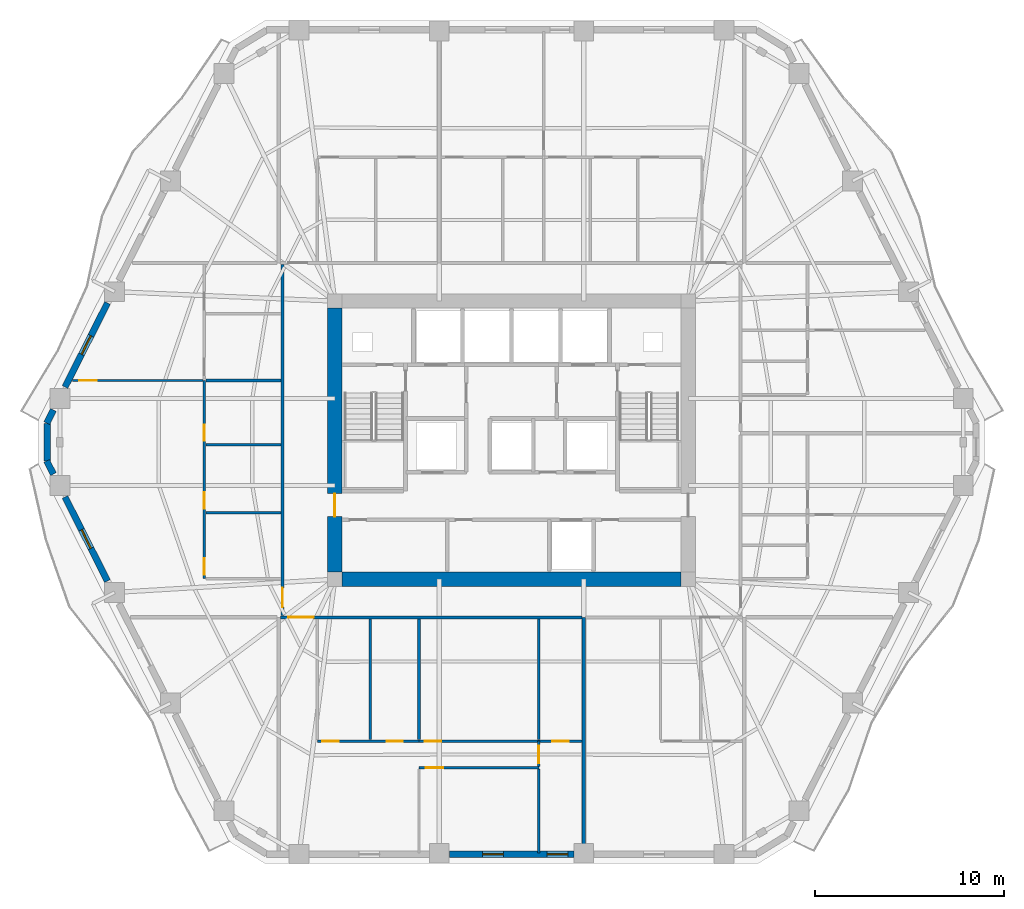
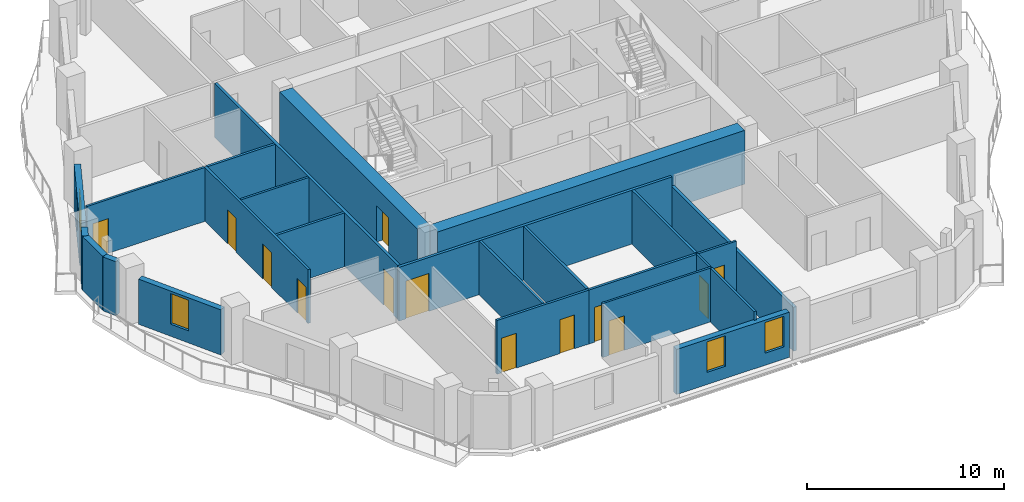
# One storey, part 4 of 11: 25 walls, 13 doors, 4 windows, 17 openings.
"""IFC4 building model written with IfcOpenShell, lengths in metres."""

from ifc_helpers import new_model, si_unit, direction, frame, frame_2d, origin, place, context, subcontext, project, spatial, rectangle, extrude, material, layer, layer_set, type_object, element, fill, save


model = new_model("IFC4")

# Units and contexts
model_context = context("Model", 3, precision=1e-05, world=origin(), true_north=direction((0.0, 1.0)))
body_context = subcontext(model_context, "Body", "Model", "MODEL_VIEW")
ifc_project = project(units=[si_unit("LENGTHUNIT", "METRE"), si_unit("AREAUNIT", "SQUARE_METRE"), si_unit("VOLUMEUNIT", "CUBIC_METRE"), si_unit("PLANEANGLEUNIT", "RADIAN"), si_unit("MASSUNIT", "GRAM", prefix="KILO")], contexts=[model_context])

# Site, building, storey
site_placement = place(None, origin())
site = spatial("IfcSite", under=ifc_project, at=site_placement, CompositionType="ELEMENT")
building_placement = place(site_placement, origin())
building = spatial("IfcBuilding", under=site, at=building_placement, Name="Cinnabar Lancet Tower", CompositionType="ELEMENT")
storey_placement = place(building_placement, frame((0.0, 0.0, 101.949951171875)))
storey = spatial("IfcBuildingStorey", under=building, at=storey_placement, Name="L26", CompositionType="ELEMENT", Elevation=101.949951171875)

# Wall, opening, door
ifc_material_1 = material(Name="Acoustic twin-stud gypsum partition", Category="gypsum")
ifc_layer_1 = layer(ifc_material_1, 0.159912109375)
ifc_layer_set_1 = layer_set([ifc_layer_1], Name="Acoustic twin-stud gypsum partition")
wall_type_1 = type_object("IfcWallType", Name="ARC-WL-CORR-160", PredefinedType="PARTITIONING", material=ifc_layer_set_1)
wall_1_placement = place(storey_placement, frame((20.14501953125, 16.5, 0.0), z_axis=(0.0, 0.0, 1.0), x_axis=(1.0, 0.0, 0.0)))
wall_1 = element("IfcWall", 1, at=wall_1_placement, inside=storey, type_object=wall_type_1, Name="L26 Unit S01 Corridor Wall", PredefinedType="PARTITIONING", context=body_context, shape_type="SweptSolid", body=[
    extrude(rectangle(XDim=15.991943359375, YDim=0.159912109375, at=frame_2d((7.99609375, 0.0))), origin(), (0.0, 0.0, 1.0), 3.340087890625),
])
opening_1_placement = place(wall_1_placement, frame((0.405029296875, 0.0, 0.0)))
opening_1 = element("IfcOpeningElement", 2, at=opening_1_placement, cuts=wall_1, Name="Opening UD-02", PredefinedType="OPENING", context=body_context, shape_type="SweptSolid", body=[
    extrude(rectangle(XDim=1.35009765625, YDim=2.35009765625, at=frame_2d((0.675048828125, 1.175048828125))), frame((0.0, 0.08984375, 0.0), z_axis=(0.0, -1.0, 0.0), x_axis=(1.0, 0.0, 0.0)), (0.0, 0.0, 1.0), 0.179931640625),
])
ifc_material_2 = material(Name="Double-leaf solid timber penthouse entrance door", Category="wood")
door_type_1 = type_object("IfcDoorType", Name="ARC-DR-UNIT-PH", OperationType="NOTDEFINED", PredefinedType="DOOR", material=ifc_material_2)
door_1_placement = place(opening_1_placement, origin())
door_1 = element("IfcDoor", 3, at=door_1_placement, inside=storey, type_object=door_type_1, Name="DR-L26-S01-ENT", OperationType="SINGLE_SWING_LEFT", OverallHeight=2.35009765625, OverallWidth=1.35009765625, PredefinedType="DOOR", context=body_context, shape_type="SweptSolid", body=[
    extrude(rectangle(XDim=1.35009765625, YDim=2.35009765625, at=frame_2d((0.675048828125, 1.175048828125))), frame((0.0, 0.02490234375, 0.0), z_axis=(0.0, -1.0, 0.0), x_axis=(1.0, 0.0, 0.0)), (0.0, 0.0, 1.0), 0.050048828125),
])
fill(opening_1, door_1)

wall_2_placement = place(storey_placement, frame((20.25, 16.594970703125, 0.0), z_axis=(0.0, 0.0, 1.0), x_axis=(0.0, 1.0, 0.0)))
wall_2 = element("IfcWall", 4, at=wall_2_placement, inside=storey, type_object=wall_type_1, Name="UW-L26-W01-COR", PredefinedType="PARTITIONING", context=body_context, shape_type="SweptSolid", body=[
    extrude(rectangle(XDim=18.610107421875, YDim=0.159912109375, at=frame_2d((9.30517578125, 0.0))), origin(), (0.0, 0.0, 1.0), 3.340087890625),
])
opening_2_placement = place(wall_2_placement, frame((0.449951171875, 0.0, 0.0)))
opening_2 = element("IfcOpeningElement", 5, at=opening_2_placement, cuts=wall_2, Name="Opening UD-01", PredefinedType="OPENING", context=body_context, shape_type="SweptSolid", body=[
    extrude(rectangle(XDim=1.02001953125, YDim=2.25, at=frame_2d((0.510009765625, 1.125))), frame((0.0, 0.08984375, 0.0), z_axis=(0.0, -1.0, 0.0), x_axis=(1.0, 0.0, 0.0)), (0.0, 0.0, 1.0), 0.179931640625),
])
ifc_material_3 = material(Name="Solid timber fire-rated apartment entrance door", Category="wood")
door_type_2 = type_object("IfcDoorType", Name="ARC-DR-UNIT", OperationType="NOTDEFINED", PredefinedType="DOOR", material=ifc_material_3)
door_2_placement = place(opening_2_placement, origin())
door_2 = element("IfcDoor", 6, at=door_2_placement, inside=storey, type_object=door_type_2, Name="DR-L26-W01-ENT", OperationType="SINGLE_SWING_LEFT", OverallHeight=2.25, OverallWidth=1.02001953125, PredefinedType="DOOR", context=body_context, shape_type="SweptSolid", body=[
    extrude(rectangle(XDim=1.02001953125, YDim=2.25, at=frame_2d((0.510009765625, 1.125))), frame((0.0, 0.02490234375, 0.0), z_axis=(0.0, -1.0, 0.0), x_axis=(1.0, 0.0, 0.0)), (0.0, 0.0, 1.0), 0.050048828125),
])
fill(opening_2, door_2)

# Wall
ifc_material_4 = material(Name="Fire-rated twin-frame acoustic drywall", Category="gypsum")
ifc_layer_2 = layer(ifc_material_4, 0.179931640625)
ifc_layer_set_2 = layer_set([ifc_layer_2], Name="Fire-rated twin-frame acoustic drywall")
wall_type_2 = type_object("IfcWallType", Name="ARC-WL-PARTY-180", PredefinedType="PARTITIONING", material=ifc_layer_set_2)
wall_3_placement = place(storey_placement, frame((36.23193359375, 4.10498046875, 0.0), z_axis=(0.0, 0.0, 1.0), x_axis=(0.0, 1.0, 0.0)))
element("IfcWall", 7, at=wall_3_placement, inside=storey, type_object=wall_type_2, Name="PW-L26-SPTY-362", PredefinedType="PARTITIONING", context=body_context, shape_type="SweptSolid", body=[
    extrude(rectangle(XDim=12.39501953125, YDim=0.179931640625, at=frame_2d((6.197509765625, 0.0))), origin(), (0.0, 0.0, 1.0), 2.72216796875),
])

# Wall, opening, door
ifc_material_5 = material(Name="Gypsum plasterboard stud partition", Category="gypsum")
ifc_layer_3 = layer(ifc_material_5, 0.125)
ifc_layer_set_3 = layer_set([ifc_layer_3], Name="Gypsum plasterboard stud partition")
wall_type_3 = type_object("IfcWallType", Name="ARC-WL-UNIT-125", PredefinedType="PARTITIONING", material=ifc_layer_set_3)
wall_4_placement = place(storey_placement, frame((33.85009765625, 9.930908203125, 0.0), z_axis=(0.0, 0.0, 1.0), x_axis=(1.0, 0.0, 0.0)))
wall_4 = element("IfcWall", 8, at=wall_4_placement, inside=storey, type_object=wall_type_3, Name="UW-L26-S01-SP2", PredefinedType="PARTITIONING", context=body_context, shape_type="SweptSolid", body=[
    extrude(rectangle(XDim=2.286865234375, YDim=0.125, at=frame_2d((1.1435546875, 0.0))), origin(), (0.0, 0.0, 1.0), 3.340087890625),
])
opening_3_placement = place(wall_4_placement, frame((0.718017578125, 0.0, 0.0)))
opening_3 = element("IfcOpeningElement", 9, at=opening_3_placement, cuts=wall_4, Name="Opening BD-01", PredefinedType="OPENING", context=body_context, shape_type="SweptSolid", body=[
    extrude(rectangle(XDim=0.860107421875, YDim=2.10009765625, at=frame_2d((0.43017578125, 1.050048828125))), frame((0.0, 0.072509765625, 0.0), z_axis=(0.0, -1.0, 0.0), x_axis=(1.0, 0.0, 0.0)), (0.0, 0.0, 1.0), 0.14501953125),
])
ifc_material_6 = material(Name="Moisture-resistant timber bathroom door", Category="wood")
door_type_3 = type_object("IfcDoorType", Name="ARC-DR-BATH", OperationType="NOTDEFINED", PredefinedType="DOOR", material=ifc_material_6)
door_3_placement = place(opening_3_placement, origin())
door_3 = element("IfcDoor", 10, at=door_3_placement, inside=storey, type_object=door_type_3, Name="DR-L26-S01-ENS", OperationType="SINGLE_SWING_LEFT", OverallHeight=2.10009765625, OverallWidth=0.860107421875, PredefinedType="DOOR", context=body_context, shape_type="SweptSolid", body=[
    extrude(rectangle(XDim=0.860107421875, YDim=2.10009765625, at=frame_2d((0.43017578125, 1.050048828125))), frame((0.0, 0.02490234375, 0.0), z_axis=(0.0, -1.0, 0.0), x_axis=(1.0, 0.0, 0.0)), (0.0, 0.0, 1.0), 0.050048828125),
])
fill(opening_3, door_3)

wall_5_placement = place(storey_placement, frame((27.493896484375, 8.531005859375, 0.0), z_axis=(0.0, 0.0, 1.0), x_axis=(1.0, 0.0, 0.0)))
wall_5 = element("IfcWall", 11, at=wall_5_placement, inside=storey, type_object=wall_type_3, Name="UW-L26-S01-HLN", PredefinedType="PARTITIONING", context=body_context, shape_type="SweptSolid", body=[
    extrude(rectangle(XDim=6.356201171875, YDim=0.125, at=frame_2d((3.17822265625, 0.0))), origin(), (0.0, 0.0, 1.0), 3.340087890625),
])
opening_4_placement = place(wall_5_placement, frame((0.35009765625, 0.0, 0.0)))
opening_4 = element("IfcOpeningElement", 12, at=opening_4_placement, cuts=wall_5, Name="Opening RD-01", PredefinedType="OPENING", context=body_context, shape_type="SweptSolid", body=[
    extrude(rectangle(XDim=0.919921875, YDim=2.14990234375, at=frame_2d((0.4599609375, 1.074951171875))), frame((0.0, 0.072509765625, 0.0), z_axis=(0.0, -1.0, 0.0), x_axis=(1.0, 0.0, 0.0)), (0.0, 0.0, 1.0), 0.14501953125),
])
ifc_material_7 = material(Name="Engineered timber bedroom door", Category="wood")
door_type_4 = type_object("IfcDoorType", Name="ARC-DR-ROOM", OperationType="NOTDEFINED", PredefinedType="DOOR", material=ifc_material_7)
door_4_placement = place(opening_4_placement, origin())
door_4 = element("IfcDoor", 13, at=door_4_placement, inside=storey, type_object=door_type_4, Name="DR-L26-S01-BD2", OperationType="SINGLE_SWING_RIGHT", OverallHeight=2.14990234375, OverallWidth=0.919921875, PredefinedType="DOOR", context=body_context, shape_type="SweptSolid", body=[
    extrude(rectangle(XDim=0.919921875, YDim=2.14990234375, at=frame_2d((0.4599609375, 1.074951171875))), frame((0.0, 0.02490234375, 0.0), z_axis=(0.0, -1.0, 0.0), x_axis=(1.0, 0.0, 0.0)), (0.0, 0.0, 1.0), 0.050048828125),
])
fill(opening_4, door_4)

wall_6_placement = place(storey_placement, frame((33.85009765625, 8.60107421875, 0.0), z_axis=(0.0, 0.0, 1.0), x_axis=(0.0, 1.0, 0.0)))
wall_6 = element("IfcWall", 14, at=wall_6_placement, inside=storey, type_object=wall_type_3, Name="UW-L26-S01-MBE", PredefinedType="PARTITIONING", context=body_context, shape_type="SweptSolid", body=[
    extrude(rectangle(XDim=1.329833984375, YDim=0.125, at=frame_2d((0.6650390625, 0.0))), origin(), (0.0, 0.0, 1.0), 3.340087890625),
])
opening_5_placement = place(wall_6_placement, frame((0.159912109375, 0.0, 0.0)))
opening_5 = element("IfcOpeningElement", 15, at=opening_5_placement, cuts=wall_6, Name="Opening RD-01", PredefinedType="OPENING", context=body_context, shape_type="SweptSolid", body=[
    extrude(rectangle(XDim=0.919921875, YDim=2.14990234375, at=frame_2d((0.4599609375, 1.074951171875))), frame((0.0, 0.072509765625, 0.0), z_axis=(0.0, -1.0, 0.0), x_axis=(1.0, 0.0, 0.0)), (0.0, 0.0, 1.0), 0.14501953125),
])
door_5_placement = place(opening_5_placement, origin())
door_5 = element("IfcDoor", 16, at=door_5_placement, inside=storey, type_object=door_type_4, Name="DR-L26-S01-MBD", OperationType="SINGLE_SWING_RIGHT", OverallHeight=2.14990234375, OverallWidth=0.919921875, PredefinedType="DOOR", context=body_context, shape_type="SweptSolid", body=[
    extrude(rectangle(XDim=0.919921875, YDim=2.14990234375, at=frame_2d((0.4599609375, 1.074951171875))), frame((0.0, 0.02490234375, 0.0), z_axis=(0.0, -1.0, 0.0), x_axis=(1.0, 0.0, 0.0)), (0.0, 0.0, 1.0), 0.050048828125),
])
fill(opening_5, door_5)

# Wall
wall_7_placement = place(storey_placement, frame((33.85009765625, 4.014892578125, 0.0), z_axis=(0.0, 0.0, 1.0), x_axis=(0.0, 1.0, 0.0)))
element("IfcWall", 17, at=wall_7_placement, inside=storey, type_object=wall_type_3, Name="UW-L26-S01-MB2W", PredefinedType="PARTITIONING", context=body_context, shape_type="SweptSolid", body=[
    extrude(rectangle(XDim=4.451171875, YDim=0.125, at=frame_2d((2.2255859375, 0.0))), origin(), (0.0, 0.0, 1.0), 3.340087890625),
])

# Wall, opening, door
wall_8_placement = place(storey_placement, frame((9.115966796875, 29.06396484375, 0.0), z_axis=(0.0, 0.0, 1.0), x_axis=(1.0, 0.0, 0.0)))
wall_8 = element("IfcWall", 18, at=wall_8_placement, inside=storey, type_object=wall_type_3, Name="UW-L26-W01-MBN", PredefinedType="PARTITIONING", context=body_context, shape_type="SweptSolid", body=[
    extrude(rectangle(XDim=6.908935546875, YDim=0.125, at=frame_2d((3.45458984375, 0.0))), origin(), (0.0, 0.0, 1.0), 3.340087890625),
])
opening_6_placement = place(wall_8_placement, frame((0.35009765625, 0.0, 0.0)))
opening_6 = element("IfcOpeningElement", 19, at=opening_6_placement, cuts=wall_8, Name="Opening RD-01", PredefinedType="OPENING", context=body_context, shape_type="SweptSolid", body=[
    extrude(rectangle(XDim=0.919921875, YDim=2.14990234375, at=frame_2d((0.4599609375, 1.074951171875))), frame((0.0, 0.072509765625, 0.0), z_axis=(0.0, -1.0, 0.0), x_axis=(1.0, 0.0, 0.0)), (0.0, 0.0, 1.0), 0.14501953125),
])
door_6_placement = place(opening_6_placement, origin())
door_6 = element("IfcDoor", 20, at=door_6_placement, inside=storey, type_object=door_type_4, Name="DR-L26-W01-MBD", OperationType="SINGLE_SWING_LEFT", OverallHeight=2.14990234375, OverallWidth=0.919921875, PredefinedType="DOOR", context=body_context, shape_type="SweptSolid", body=[
    extrude(rectangle(XDim=0.919921875, YDim=2.14990234375, at=frame_2d((0.4599609375, 1.074951171875))), frame((0.0, 0.02490234375, 0.0), z_axis=(0.0, -1.0, 0.0), x_axis=(1.0, 0.0, 0.0)), (0.0, 0.0, 1.0), 0.050048828125),
])
fill(opening_6, door_6)

# Wall
wall_9_placement = place(storey_placement, frame((16.18505859375, 25.6640625, 0.0), z_axis=(0.0, 0.0, 1.0), x_axis=(1.0, 0.0, 0.0)))
element("IfcWall", 21, at=wall_9_placement, inside=storey, type_object=wall_type_3, Name="UW-L26-W01-UDV", PredefinedType="PARTITIONING", context=body_context, shape_type="SweptSolid", body=[
    extrude(rectangle(XDim=3.97998046875, YDim=0.125, at=frame_2d((1.989990234375, 0.0))), origin(), (0.0, 0.0, 1.0), 3.340087890625),
])

# Wall, openings, doors
ifc_material_8 = material(Name="Moisture-resistant cement-board plumbing wall", Category="masonry")
ifc_layer_4 = layer(ifc_material_8, 0.139892578125)
ifc_layer_set_4 = layer_set([ifc_layer_4], Name="Moisture-resistant cement-board plumbing wall")
wall_type_4 = type_object("IfcWallType", Name="ARC-WL-WET-140", PredefinedType="PLUMBINGWALL", material=ifc_layer_set_4)
wall_10_placement = place(storey_placement, frame((22.10009765625, 9.930908203125, 0.0), z_axis=(0.0, 0.0, 1.0), x_axis=(1.0, 0.0, 0.0)))
wall_10 = element("IfcWall", 22, at=wall_10_placement, inside=storey, type_object=wall_type_4, Name="UW-L26-S01-SPL", PredefinedType="PLUMBINGWALL", context=body_context, shape_type="SweptSolid", body=[
    extrude(rectangle(XDim=5.393798828125, YDim=0.139892578125, at=frame_2d((2.69677734375, 0.0))), origin(), (0.0, 0.0, 1.0), 3.340087890625),
])
opening_7_placement = place(wall_10_placement, frame((3.674072265625, 0.0, 0.0)))
opening_7 = element("IfcOpeningElement", 23, at=opening_7_placement, cuts=wall_10, Name="Opening BD-01", PredefinedType="OPENING", context=body_context, shape_type="SweptSolid", body=[
    extrude(rectangle(XDim=0.860107421875, YDim=2.10009765625, at=frame_2d((0.43017578125, 1.050048828125))), frame((0.0, 0.079833984375, 0.0), z_axis=(0.0, -1.0, 0.0), x_axis=(1.0, 0.0, 0.0)), (0.0, 0.0, 1.0), 0.159912109375),
])
opening_8_placement = place(wall_10_placement, frame((0.260009765625, 0.0, 0.0)))
opening_8 = element("IfcOpeningElement", 24, at=opening_8_placement, cuts=wall_10, Name="Opening RD-02", PredefinedType="OPENING", context=body_context, shape_type="SweptSolid", body=[
    extrude(rectangle(XDim=0.8798828125, YDim=2.14990234375, at=frame_2d((0.43994140625, 1.074951171875))), frame((0.0, 0.079833984375, 0.0), z_axis=(0.0, -1.0, 0.0), x_axis=(1.0, 0.0, 0.0)), (0.0, 0.0, 1.0), 0.159912109375),
])
door_7_placement = place(opening_7_placement, origin())
door_7 = element("IfcDoor", 25, at=door_7_placement, inside=storey, type_object=door_type_3, Name="DR-L26-S01-BTH", OperationType="SINGLE_SWING_LEFT", OverallHeight=2.10009765625, OverallWidth=0.860107421875, PredefinedType="DOOR", context=body_context, shape_type="SweptSolid", body=[
    extrude(rectangle(XDim=0.860107421875, YDim=2.10009765625, at=frame_2d((0.43017578125, 1.050048828125))), frame((0.0, 0.02490234375, 0.0), z_axis=(0.0, -1.0, 0.0), x_axis=(1.0, 0.0, 0.0)), (0.0, 0.0, 1.0), 0.050048828125),
])
fill(opening_7, door_7)
ifc_material_9 = material(Name="Engineered timber study door", Category="wood")
door_type_5 = type_object("IfcDoorType", Name="ARC-DR-STUDY", OperationType="NOTDEFINED", PredefinedType="DOOR", material=ifc_material_9)
door_8_placement = place(opening_8_placement, origin())
door_8 = element("IfcDoor", 26, at=door_8_placement, inside=storey, type_object=door_type_5, Name="DR-L26-S01-KIT", OperationType="SINGLE_SWING_RIGHT", OverallHeight=2.14990234375, OverallWidth=0.8798828125, PredefinedType="DOOR", context=body_context, shape_type="SweptSolid", body=[
    extrude(rectangle(XDim=0.8798828125, YDim=2.14990234375, at=frame_2d((0.43994140625, 1.074951171875))), frame((0.0, 0.02490234375, 0.0), z_axis=(0.0, -1.0, 0.0), x_axis=(1.0, 0.0, 0.0)), (0.0, 0.0, 1.0), 0.050048828125),
])
fill(opening_8, door_8)

# Wall, opening, door
wall_11_placement = place(storey_placement, frame((27.493896484375, 9.930908203125, 0.0), z_axis=(0.0, 0.0, 1.0), x_axis=(1.0, 0.0, 0.0)))
wall_11 = element("IfcWall", 27, at=wall_11_placement, inside=storey, type_object=wall_type_4, Name="UW-L26-S01-SPM", PredefinedType="PLUMBINGWALL", context=body_context, shape_type="SweptSolid", body=[
    extrude(rectangle(XDim=6.356201171875, YDim=0.139892578125, at=frame_2d((3.17822265625, 0.0))), origin(), (0.0, 0.0, 1.0), 3.340087890625),
])
opening_9_placement = place(wall_11_placement, frame((0.300048828125, 0.0, 0.0)))
opening_9 = element("IfcOpeningElement", 28, at=opening_9_placement, cuts=wall_11, Name="Opening RD-02", PredefinedType="OPENING", context=body_context, shape_type="SweptSolid", body=[
    extrude(rectangle(XDim=0.8798828125, YDim=2.14990234375, at=frame_2d((0.43994140625, 1.074951171875))), frame((0.0, 0.079833984375, 0.0), z_axis=(0.0, -1.0, 0.0), x_axis=(1.0, 0.0, 0.0)), (0.0, 0.0, 1.0), 0.159912109375),
])
door_9_placement = place(opening_9_placement, origin())
door_9 = element("IfcDoor", 29, at=door_9_placement, inside=storey, type_object=door_type_5, Name="DR-L26-S01-UTL", OperationType="SINGLE_SWING_LEFT", OverallHeight=2.14990234375, OverallWidth=0.8798828125, PredefinedType="DOOR", context=body_context, shape_type="SweptSolid", body=[
    extrude(rectangle(XDim=0.8798828125, YDim=2.14990234375, at=frame_2d((0.43994140625, 1.074951171875))), frame((0.0, 0.02490234375, 0.0), z_axis=(0.0, -1.0, 0.0), x_axis=(1.0, 0.0, 0.0)), (0.0, 0.0, 1.0), 0.050048828125),
])
fill(opening_9, door_9)

# Walls
for number, where, z_axis, x_axis, name in (
    (30, (24.905029296875, 10.035888671875, 0.0), (0.0, 0.0, 1.0), (0.0, 1.0, 0.0), "UW-L26-S01-KDV"),
    (31, (27.493896484375, 10.035888671875, 0.0), (0.0, 0.0, 1.0), (0.0, 1.0, 0.0), "UW-L26-S01-ENSW"),
    (32, (33.85009765625, 10.035888671875, 0.0), (0.0, 0.0, 1.0), (0.0, 1.0, 0.0), "UW-L26-S01-ENSE"),
):
    element("IfcWall", number, at=place(storey_placement, frame(where, z_axis=z_axis, x_axis=x_axis)), inside=storey, type_object=wall_type_4, Name=name, PredefinedType="PLUMBINGWALL", context=body_context, shape_type="SweptSolid", body=[
        extrude(rectangle(XDim=6.379150390625, YDim=0.139892578125, at=frame_2d((3.189453125, 0.0))), origin(), (0.0, 0.0, 1.0), 3.340087890625),
    ])

# Wall, openings, doors
wall_12_placement = place(storey_placement, frame((16.10009765625, 18.550048828125, 0.0), z_axis=(0.0, 0.0, 1.0), x_axis=(0.0, 1.0, 0.0)))
wall_12 = element("IfcWall", 33, at=wall_12_placement, inside=storey, type_object=wall_type_4, Name="UW-L26-W01-SPL", PredefinedType="PLUMBINGWALL", context=body_context, shape_type="SweptSolid", body=[
    extrude(rectangle(XDim=10.513916015625, YDim=0.139892578125, at=frame_2d((5.2568359375, 0.0))), origin(), (0.0, 0.0, 1.0), 3.340087890625),
])
opening_10_placement = place(wall_12_placement, frame((0.199951171875, 0.0, 0.0)))
opening_10 = element("IfcOpeningElement", 34, at=opening_10_placement, cuts=wall_12, Name="Opening RD-02", PredefinedType="OPENING", context=body_context, shape_type="SweptSolid", body=[
    extrude(rectangle(XDim=0.8798828125, YDim=2.14990234375, at=frame_2d((0.43994140625, 1.074951171875))), frame((0.0, 0.079833984375, 0.0), z_axis=(0.0, -1.0, 0.0), x_axis=(1.0, 0.0, 0.0)), (0.0, 0.0, 1.0), 0.159912109375),
])
opening_11_placement = place(wall_12_placement, frame((3.699951171875, 0.0, 0.0)))
opening_11 = element("IfcOpeningElement", 35, at=opening_11_placement, cuts=wall_12, Name="Opening RD-02", PredefinedType="OPENING", context=body_context, shape_type="SweptSolid", body=[
    extrude(rectangle(XDim=0.8798828125, YDim=2.14990234375, at=frame_2d((0.43994140625, 1.074951171875))), frame((0.0, 0.079833984375, 0.0), z_axis=(0.0, -1.0, 0.0), x_axis=(1.0, 0.0, 0.0)), (0.0, 0.0, 1.0), 0.159912109375),
])
opening_12_placement = place(wall_12_placement, frame((7.31396484375, 0.0, 0.0)))
opening_12 = element("IfcOpeningElement", 36, at=opening_12_placement, cuts=wall_12, Name="Opening BD-01", PredefinedType="OPENING", context=body_context, shape_type="SweptSolid", body=[
    extrude(rectangle(XDim=0.860107421875, YDim=2.10009765625, at=frame_2d((0.43017578125, 1.050048828125))), frame((0.0, 0.079833984375, 0.0), z_axis=(0.0, -1.0, 0.0), x_axis=(1.0, 0.0, 0.0)), (0.0, 0.0, 1.0), 0.159912109375),
])
door_10_placement = place(opening_12_placement, origin())
door_10 = element("IfcDoor", 37, at=door_10_placement, inside=storey, type_object=door_type_3, Name="DR-L26-W01-BTH", OperationType="SINGLE_SWING_RIGHT", OverallHeight=2.10009765625, OverallWidth=0.860107421875, PredefinedType="DOOR", context=body_context, shape_type="SweptSolid", body=[
    extrude(rectangle(XDim=0.860107421875, YDim=2.10009765625, at=frame_2d((0.43017578125, 1.050048828125))), frame((0.0, 0.02490234375, 0.0), z_axis=(0.0, -1.0, 0.0), x_axis=(1.0, 0.0, 0.0)), (0.0, 0.0, 1.0), 0.050048828125),
])
fill(opening_12, door_10)
door_11_placement = place(opening_10_placement, origin())
door_11 = element("IfcDoor", 38, at=door_11_placement, inside=storey, type_object=door_type_5, Name="DR-L26-W01-KIT", OperationType="SINGLE_SWING_RIGHT", OverallHeight=2.14990234375, OverallWidth=0.8798828125, PredefinedType="DOOR", context=body_context, shape_type="SweptSolid", body=[
    extrude(rectangle(XDim=0.8798828125, YDim=2.14990234375, at=frame_2d((0.43994140625, 1.074951171875))), frame((0.0, 0.02490234375, 0.0), z_axis=(0.0, -1.0, 0.0), x_axis=(1.0, 0.0, 0.0)), (0.0, 0.0, 1.0), 0.050048828125),
])
fill(opening_10, door_11)
door_12_placement = place(opening_11_placement, origin())
door_12 = element("IfcDoor", 39, at=door_12_placement, inside=storey, type_object=door_type_5, Name="DR-L26-W01-UTL", OperationType="SINGLE_SWING_LEFT", OverallHeight=2.14990234375, OverallWidth=0.8798828125, PredefinedType="DOOR", context=body_context, shape_type="SweptSolid", body=[
    extrude(rectangle(XDim=0.8798828125, YDim=2.14990234375, at=frame_2d((0.43994140625, 1.074951171875))), frame((0.0, 0.02490234375, 0.0), z_axis=(0.0, -1.0, 0.0), x_axis=(1.0, 0.0, 0.0)), (0.0, 0.0, 1.0), 0.050048828125),
])
fill(opening_11, door_12)

# Walls
for number, where, z_axis, x_axis, name in (
    (40, (16.18505859375, 29.06396484375, 0.0), (0.0, 0.0, 1.0), (1.0, 0.0, 0.0), "UW-L26-W01-ENSN"),
    (41, (16.18505859375, 22.050048828125, 0.0), (0.0, 0.0, 1.0), (1.0, 0.0, 0.0), "UW-L26-W01-KDV"),
):
    element("IfcWall", number, at=place(storey_placement, frame(where, z_axis=z_axis, x_axis=x_axis)), inside=storey, type_object=wall_type_4, Name=name, PredefinedType="PLUMBINGWALL", context=body_context, shape_type="SweptSolid", body=[
        extrude(rectangle(XDim=3.97998046875, YDim=0.139892578125, at=frame_2d((1.989990234375, 0.0))), origin(), (0.0, 0.0, 1.0), 3.340087890625),
    ])
ifc_material_10 = material(Name="Cinnabar red clay brick", Category="masonry")
ifc_layer_5 = layer(ifc_material_10, 0.340087890625)
ifc_layer_set_5 = layer_set([ifc_layer_5], Name="Cinnabar red clay brick")
wall_type_5 = type_object("IfcWallType", Name="ENV-WL-BRK-RED-340", PredefinedType="STANDARD", material=ifc_layer_set_5)
wall_13_placement = place(storey_placement, frame((7.76708984375, 26.797119140625, 0.0), z_axis=(0.0, 0.0, 1.0), x_axis=(0.0, -1.0, 0.0)))
element("IfcWall", 42, at=wall_13_placement, inside=storey, type_object=wall_type_5, Name="L26 Chamfered Corner Brick Pier 6.1", PredefinedType="STANDARD", context=body_context, shape_type="SweptSolid", body=[
    extrude(rectangle(XDim=1.994140625, YDim=0.340087890625, at=frame_2d((0.9970703125, 0.0))), origin(), (0.0, 0.0, 1.0), 3.340087890625),
])

# Wall, openings, windows
wall_14_placement = place(storey_placement, frame((29.096923828125, 3.929931640625, 0.0), z_axis=(0.0, 0.0, 1.0), x_axis=(1.0, 0.0, 0.0)))
wall_14 = element("IfcWall", 43, at=wall_14_placement, inside=storey, type_object=wall_type_5, Name="L26 Face 1 Masonry Bay Wall 3", PredefinedType="STANDARD", context=body_context, shape_type="SweptSolid", body=[
    extrude(rectangle(XDim=6.60595703125, YDim=0.340087890625, at=frame_2d((3.302978515625, 0.0))), origin(), (0.0, 0.0, 1.0), 2.797119140625),
])
opening_13_placement = place(wall_14_placement, frame((1.77001953125, 0.0, 0.75)))
opening_13 = element("IfcOpeningElement", 44, at=opening_13_placement, cuts=wall_14, Name="Opening WN-04", PredefinedType="OPENING", context=body_context, shape_type="SweptSolid", body=[
    extrude(rectangle(XDim=1.10009765625, YDim=1.89697265625, at=frame_2d((0.550048828125, 0.948486328125))), frame((0.0, 0.179931640625, 0.0), z_axis=(0.0, -1.0, 0.0), x_axis=(1.0, 0.0, 0.0)), (0.0, 0.0, 1.0), 0.360107421875),
])
opening_14_placement = place(wall_14_placement, frame((5.18603515625, 0.0, 0.75)))
opening_14 = element("IfcOpeningElement", 45, at=opening_14_placement, cuts=wall_14, Name="Opening WN-04", PredefinedType="OPENING", context=body_context, shape_type="SweptSolid", body=[
    extrude(rectangle(XDim=1.10009765625, YDim=1.89697265625, at=frame_2d((0.550048828125, 0.948486328125))), frame((0.0, 0.179931640625, 0.0), z_axis=(0.0, -1.0, 0.0), x_axis=(1.0, 0.0, 0.0)), (0.0, 0.0, 1.0), 0.360107421875),
])
ifc_material_11 = material(Name="Thermally broken bronze-anodized aluminium tall lancet window", Category="aluminium")
window_type = type_object("IfcWindowType", Name="ENV-WN-LANCET-1100", PartitioningType="SINGLE_PANEL", PredefinedType="WINDOW", material=ifc_material_11)
window_1_placement = place(opening_13_placement, origin())
window_1 = element("IfcWindow", 46, at=window_1_placement, inside=storey, type_object=window_type, Name="L26 Face 1 Gothic Lancet Window 3", OverallHeight=1.89697265625, OverallWidth=1.10009765625, PartitioningType="SINGLE_PANEL", PredefinedType="WINDOW", context=body_context, shape_type="SweptSolid", body=[
    extrude(rectangle(XDim=1.10009765625, YDim=1.89697265625, at=frame_2d((0.550048828125, 0.948486328125))), frame((0.0, 0.030029296875, 0.0), z_axis=(0.0, -1.0, 0.0), x_axis=(1.0, 0.0, 0.0)), (0.0, 0.0, 1.0), 0.06005859375),
])
fill(opening_13, window_1)
window_2_placement = place(opening_14_placement, origin())
window_2 = element("IfcWindow", 47, at=window_2_placement, inside=storey, type_object=window_type, Name="L26 Split-Bay Gothic Lancet Window 85", OverallHeight=1.89697265625, OverallWidth=1.10009765625, PartitioningType="SINGLE_PANEL", PredefinedType="WINDOW", context=body_context, shape_type="SweptSolid", body=[
    extrude(rectangle(XDim=1.10009765625, YDim=1.89697265625, at=frame_2d((0.550048828125, 0.948486328125))), frame((0.0, 0.030029296875, 0.0), z_axis=(0.0, -1.0, 0.0), x_axis=(1.0, 0.0, 0.0)), (0.0, 0.0, 1.0), 0.06005859375),
])
fill(opening_14, window_2)

# Wall, opening, window
wall_15_placement = place(storey_placement, frame((10.968017578125, 33.172119140625, 0.0), z_axis=(0.0, 0.0, 1.0), x_axis=(-0.451470533039, -0.892286029139, 0.0)))
wall_15 = element("IfcWall", 48, at=wall_15_placement, inside=storey, type_object=wall_type_5, Name="L26 Face 5 Masonry Bay Wall 4", PredefinedType="STANDARD", context=body_context, shape_type="SweptSolid", body=[
    extrude(rectangle(XDim=4.9951171875, YDim=0.340087890625, at=frame_2d((2.49755859375, 0.0))), origin(), (0.0, 0.0, 1.0), 2.797119140625),
])
opening_15_placement = place(wall_15_placement, frame((1.947021484375, 0.0, 0.75)))
opening_15 = element("IfcOpeningElement", 49, at=opening_15_placement, cuts=wall_15, Name="Opening WN-04", PredefinedType="OPENING", context=body_context, shape_type="SweptSolid", body=[
    extrude(rectangle(XDim=1.10009765625, YDim=1.89697265625, at=frame_2d((0.550048828125, 0.948486328125))), frame((0.0, 0.179931640625, 0.0), z_axis=(0.0, -1.0, 0.0), x_axis=(1.0, 0.0, 0.0)), (0.0, 0.0, 1.0), 0.360107421875),
])
window_3_placement = place(opening_15_placement, origin())
window_3 = element("IfcWindow", 50, at=window_3_placement, inside=storey, type_object=window_type, Name="L26 Face 5 Gothic Lancet Window 4", OverallHeight=1.89697265625, OverallWidth=1.10009765625, PartitioningType="SINGLE_PANEL", PredefinedType="WINDOW", context=body_context, shape_type="SweptSolid", body=[
    extrude(rectangle(XDim=1.10009765625, YDim=1.89697265625, at=frame_2d((0.550048828125, 0.948486328125))), frame((0.0, 0.030029296875, 0.0), z_axis=(0.0, -1.0, 0.0), x_axis=(1.0, 0.0, 0.0)), (0.0, 0.0, 1.0), 0.06005859375),
])
fill(opening_15, window_3)

# Walls
for number, where, z_axis, x_axis, name in (
    (51, (8.10009765625, 27.5029296875, 0.0), (0.0, 0.0, 1.0), (-0.451819324107, -0.89210946546, 0.0), "L26 Face 5 Masonry Bay Wall 5"),
    (52, (7.74609375, 24.7958984375, 0.0), (0.0, 0.0, 1.0), (0.451819324107, -0.89210946546, 0.0), "L26 Face 6 Masonry Bay Wall 1"),
):
    element("IfcWall", number, at=place(storey_placement, frame(where, z_axis=z_axis, x_axis=x_axis)), inside=storey, type_object=wall_type_5, Name=name, PredefinedType="STANDARD", context=body_context, shape_type="SweptSolid", body=[
        extrude(rectangle(XDim=0.783447265625, YDim=0.340087890625, at=frame_2d((0.3916015625, 0.0))), origin(), (0.0, 0.0, 1.0), 3.340087890625),
    ])

# Wall, opening, window
wall_16_placement = place(storey_placement, frame((8.712890625, 22.885009765625, 0.0), z_axis=(0.0, 0.0, 1.0), x_axis=(0.451470533039, -0.892286029139, 0.0)))
wall_16 = element("IfcWall", 53, at=wall_16_placement, inside=storey, type_object=wall_type_5, Name="L26 Face 6 Masonry Bay Wall 2", PredefinedType="STANDARD", context=body_context, shape_type="SweptSolid", body=[
    extrude(rectangle(XDim=4.9951171875, YDim=0.340087890625, at=frame_2d((2.49755859375, 0.0))), origin(), (0.0, 0.0, 1.0), 2.797119140625),
])
opening_16_placement = place(wall_16_placement, frame((1.947021484375, 0.0, 0.75)))
opening_16 = element("IfcOpeningElement", 54, at=opening_16_placement, cuts=wall_16, Name="Opening WN-04", PredefinedType="OPENING", context=body_context, shape_type="SweptSolid", body=[
    extrude(rectangle(XDim=1.10009765625, YDim=1.89697265625, at=frame_2d((0.550048828125, 0.948486328125))), frame((0.0, 0.179931640625, 0.0), z_axis=(0.0, -1.0, 0.0), x_axis=(1.0, 0.0, 0.0)), (0.0, 0.0, 1.0), 0.360107421875),
])
window_4_placement = place(opening_16_placement, origin())
window_4 = element("IfcWindow", 55, at=window_4_placement, inside=storey, type_object=window_type, Name="L26 Face 6 Gothic Lancet Window 2", OverallHeight=1.89697265625, OverallWidth=1.10009765625, PartitioningType="SINGLE_PANEL", PredefinedType="WINDOW", context=body_context, shape_type="SweptSolid", body=[
    extrude(rectangle(XDim=1.10009765625, YDim=1.89697265625, at=frame_2d((0.550048828125, 0.948486328125))), frame((0.0, 0.030029296875, 0.0), z_axis=(0.0, -1.0, 0.0), x_axis=(1.0, 0.0, 0.0)), (0.0, 0.0, 1.0), 0.06005859375),
])
fill(opening_16, window_4)

# Wall
ifc_material_12 = material(Name="Concrete C70/85", Category="concrete")
ifc_layer_6 = layer(ifc_material_12, 0.75)
ifc_layer_set_6 = layer_set([ifc_layer_6], Name="Concrete C70/85")
wall_type_6 = type_object("IfcWallType", Name="STR-WL-CORE-750", PredefinedType="SHEAR", material=ifc_layer_set_6)
wall_17_placement = place(storey_placement, frame((23.39990234375, 18.52490234375, 0.0), z_axis=(0.0, 0.0, 1.0), x_axis=(1.0, 0.0, 0.0)))
element("IfcWall", 56, at=wall_17_placement, inside=storey, type_object=wall_type_6, Name="L26 Core Shear Wall S", PredefinedType="SHEAR", context=body_context, shape_type="SweptSolid", body=[
    extrude(rectangle(XDim=18.0, YDim=0.75, at=frame_2d((9.0, 0.0))), origin(), (0.0, 0.0, 1.0), 3.340087890625),
])

# Wall, opening, door
wall_18_placement = place(storey_placement, frame((23.02490234375, 18.89990234375, 0.0), z_axis=(0.0, 0.0, 1.0), x_axis=(0.0, 1.0, 0.0)))
wall_18 = element("IfcWall", 57, at=wall_18_placement, inside=storey, type_object=wall_type_6, Name="L26 Core Shear Wall W", PredefinedType="SHEAR", context=body_context, shape_type="SweptSolid", body=[
    extrude(rectangle(XDim=14.0, YDim=0.75, at=frame_2d((7.0, 0.0))), origin(), (0.0, 0.0, 1.0), 3.340087890625),
])
opening_17_placement = place(wall_18_placement, frame((2.93994140625, 0.0, 0.0)))
opening_17 = element("IfcOpeningElement", 58, at=opening_17_placement, cuts=wall_18, Name="Opening FD-02", PredefinedType="OPENING", context=body_context, shape_type="SweptSolid", body=[
    extrude(rectangle(XDim=1.219970703125, YDim=2.25, at=frame_2d((0.60986328125, 1.125))), frame((0.0, 0.385009765625, 0.0), z_axis=(0.0, -1.0, 0.0), x_axis=(1.0, 0.0, 0.0)), (0.0, 0.0, 1.0), 0.77001953125),
])
ifc_material_13 = material(Name="Fire-rated double-vision core portal door", Category="wood")
door_type_6 = type_object("IfcDoorType", Name="ARC-DR-CPORT", OperationType="NOTDEFINED", PredefinedType="DOOR", material=ifc_material_13)
door_13_placement = place(opening_17_placement, origin())
door_13 = element("IfcDoor", 59, at=door_13_placement, inside=storey, type_object=door_type_6, Name="L26 West Core Lobby Fire Door", OperationType="SINGLE_SWING_RIGHT", OverallHeight=2.25, OverallWidth=1.219970703125, PredefinedType="DOOR", context=body_context, shape_type="SweptSolid", body=[
    extrude(rectangle(XDim=1.219970703125, YDim=2.25, at=frame_2d((0.60986328125, 1.125))), frame((0.0, 0.02490234375, 0.0), z_axis=(0.0, -1.0, 0.0), x_axis=(1.0, 0.0, 0.0)), (0.0, 0.0, 1.0), 0.050048828125),
])
fill(opening_17, door_13)

save(model, "model.ifc")
